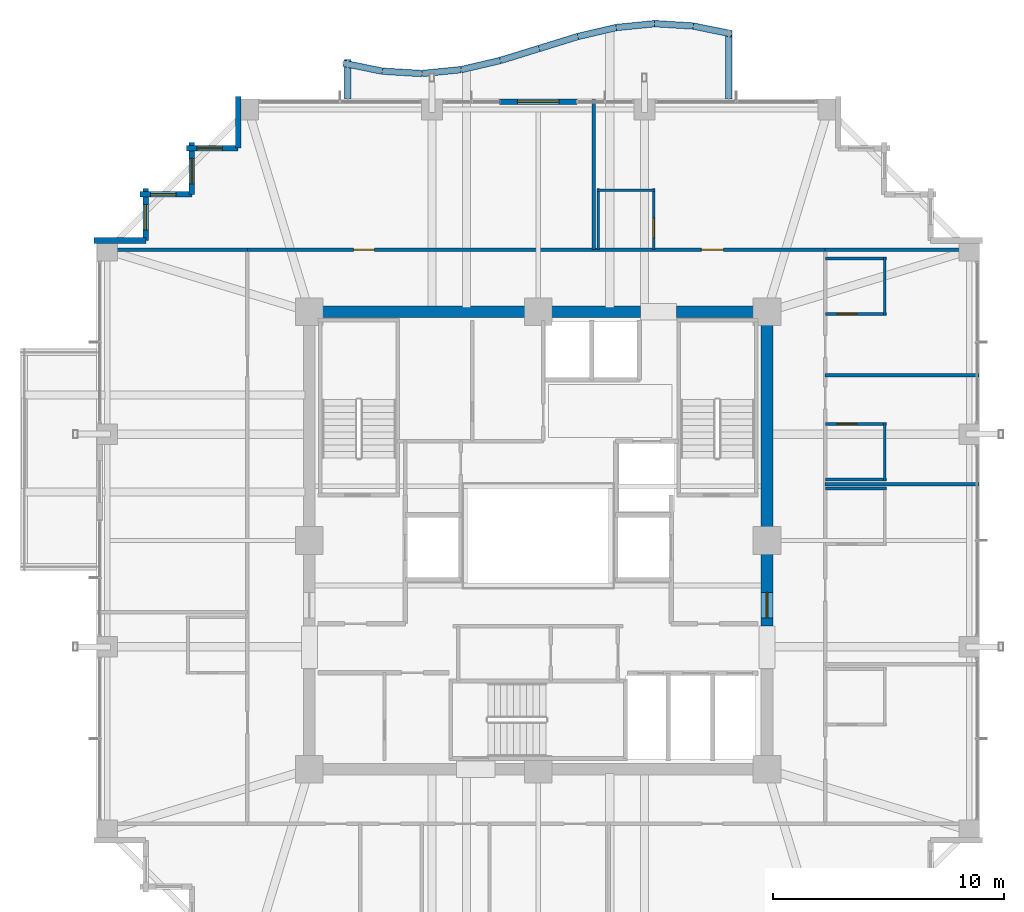
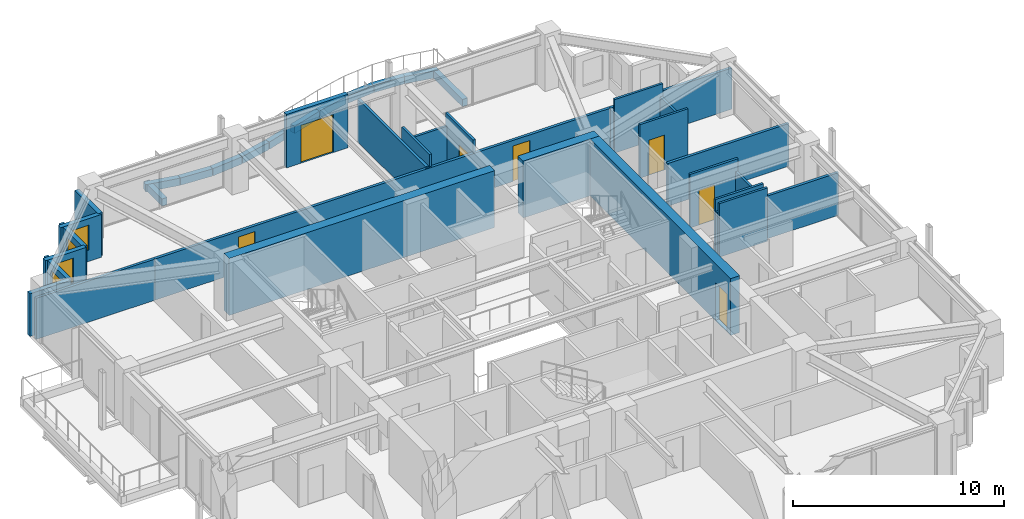
# One storey, part 30 of 34: 38 walls, 7 doors, 4 windows, 11 openings.
"""IFC4 building model written with IfcOpenShell, lengths in metres."""

from ifc_helpers import new_model, si_unit, direction, frame, frame_2d, origin, place, context, subcontext, project, spatial, rectangle, extrude, material, layer, layer_set, type_object, element, fill, save


model = new_model("IFC4")

# Units and contexts
model_context = context("Model", 3, precision=1e-05, world=origin(), true_north=direction((0.0, 1.0)))
body_context = subcontext(model_context, "Body", "Model", "MODEL_VIEW")
ifc_project = project(units=[si_unit("LENGTHUNIT", "METRE"), si_unit("AREAUNIT", "SQUARE_METRE"), si_unit("VOLUMEUNIT", "CUBIC_METRE"), si_unit("PLANEANGLEUNIT", "RADIAN"), si_unit("MASSUNIT", "GRAM", prefix="KILO")], contexts=[model_context])

# Site, building, storey
site_placement = place(None, origin())
site = spatial("IfcSite", under=ifc_project, at=site_placement, CompositionType="ELEMENT")
building_placement = place(site_placement, origin())
building = spatial("IfcBuilding", under=site, at=building_placement, Name="Kolvaren Belvedere", CompositionType="ELEMENT")
storey_placement = place(building_placement, frame((0.0, 0.0, 166.800048828125)))
storey = spatial("IfcBuildingStorey", under=building, at=storey_placement, Name="L48", CompositionType="ELEMENT", Elevation=166.800048828125)

# Walls
ifc_material_1 = material(Name="Concrete C50/60", Category="concrete")
ifc_layer_1 = layer(ifc_material_1, 0.5)
ifc_layer_set_1 = layer_set([ifc_layer_1], Name="Concrete C50/60")
wall_type_1 = type_object("IfcWallType", Name="CW-CORE-500", PredefinedType="SHEAR", material=ifc_layer_set_1)
wall_1_placement = place(storey_placement, frame((-10.14990234375, 9.89990234375, 0.0), z_axis=(0.0, 0.0, 1.0), x_axis=(1.0, 0.0, 0.0)))
element("IfcWall", 1, at=wall_1_placement, inside=storey, type_object=wall_type_1, Name="L48 North Core Shear Wall 1", PredefinedType="SHEAR", context=body_context, shape_type="SweptSolid", body=[
    extrude(rectangle(XDim=14.56982421875, YDim=0.5, at=frame_2d((7.284912109375, 0.0))), origin(), (0.0, 0.0, 1.0), 3.300048828125),
])
wall_2_placement = place(storey_placement, frame((5.97998046875, 9.89990234375, 0.0), z_axis=(0.0, 0.0, 1.0), x_axis=(1.0, 0.0, 0.0)))
element("IfcWall", 2, at=wall_2_placement, inside=storey, type_object=wall_type_1, Name="L48 North Core Shear Wall 2", PredefinedType="SHEAR", context=body_context, shape_type="SweptSolid", body=[
    extrude(rectangle(XDim=4.169921875, YDim=0.5, at=frame_2d((2.0849609375, 0.0))), origin(), (0.0, 0.0, 1.0), 3.300048828125),
])

# Wall, opening, door
wall_3_placement = place(storey_placement, frame((9.89990234375, -3.699951171875, 0.0), z_axis=(0.0, 0.0, 1.0), x_axis=(0.0, 1.0, 0.0)))
wall_3 = element("IfcWall", 3, at=wall_3_placement, inside=storey, type_object=wall_type_1, Name="L48 East Core Shear Wall 2", PredefinedType="SHEAR", context=body_context, shape_type="SweptSolid", body=[
    extrude(rectangle(XDim=13.349853515625, YDim=0.5, at=frame_2d((6.6748046875, 0.0))), origin(), (0.0, 0.0, 1.0), 3.300048828125),
])
opening_1_placement = place(wall_3_placement, frame((0.35009765625, 0.0, 0.0)))
opening_1 = element("IfcOpeningElement", 4, at=opening_1_placement, cuts=wall_3, Name="Opening D-FD90", PredefinedType="OPENING", context=body_context, shape_type="SweptSolid", body=[
    extrude(rectangle(XDim=1.10009765625, YDim=2.199951171875, at=frame_2d((0.550048828125, 1.10009765625))), frame((0.0, 0.260009765625, 0.0), z_axis=(0.0, -1.0, 0.0), x_axis=(1.0, 0.0, 0.0)), (0.0, 0.0, 1.0), 0.52001953125),
])
ifc_material_2 = material(Name="Painted hollow stainless steel", Category="steel")
door_type_1 = type_object("IfcDoorType", Name="DR-FD90-1100", OperationType="NOTDEFINED", PredefinedType="DOOR", material=ifc_material_2)
door_1_placement = place(opening_1_placement, origin())
door_1 = element("IfcDoor", 5, at=door_1_placement, inside=storey, type_object=door_type_1, Name="L48 East Firefighting Lobby Fire Door", OperationType="SINGLE_SWING_RIGHT", OverallHeight=2.199951171875, OverallWidth=1.10009765625, PredefinedType="DOOR", context=body_context, shape_type="SweptSolid", body=[
    extrude(rectangle(XDim=1.10009765625, YDim=2.199951171875, at=frame_2d((0.550048828125, 1.10009765625))), frame((0.0, 0.02490234375, 0.0), z_axis=(0.0, -1.0, 0.0), x_axis=(1.0, 0.0, 0.0)), (0.0, 0.0, 1.0), 0.050048828125),
])
fill(opening_1, door_1)

# Wall, openings, doors
ifc_material_3 = material(Name="Gypsum fire-rated partition assembly", Category="gypsum")
ifc_layer_2 = layer(ifc_material_3, 0.14990234375)
ifc_layer_set_2 = layer_set([ifc_layer_2], Name="Gypsum fire-rated partition assembly")
wall_type_2 = type_object("IfcWallType", Name="WL-CORR-150", PredefinedType="PARTITIONING", material=ifc_layer_set_2)
wall_4_placement = place(storey_placement, frame((-12.580078125, 12.580078125, 0.0), z_axis=(0.0, 0.0, 1.0), x_axis=(1.0, 0.0, 0.0)))
wall_4 = element("IfcWall", 6, at=wall_4_placement, inside=storey, type_object=wall_type_2, Name="L48 North Corridor Wall", PredefinedType="PARTITIONING", context=body_context, shape_type="SweptSolid", body=[
    extrude(rectangle(XDim=25.0, YDim=0.14990234375, at=frame_2d((12.5, 0.0))), origin(), (0.0, 0.0, 1.0), 2.388916015625),
])
opening_2_placement = place(wall_4_placement, frame((4.594970703125, 0.0, 0.0)))
opening_2 = element("IfcOpeningElement", 7, at=opening_2_placement, cuts=wall_4, Name="Opening D-INT90", PredefinedType="OPENING", context=body_context, shape_type="SweptSolid", body=[
    extrude(rectangle(XDim=0.89990234375, YDim=2.06005859375, at=frame_2d((0.449951171875, 1.030029296875))), frame((0.0, 0.0849609375, 0.0), z_axis=(0.0, -1.0, 0.0), x_axis=(1.0, 0.0, 0.0)), (0.0, 0.0, 1.0), 0.169921875),
])
opening_3_placement = place(wall_4_placement, frame((19.639892578125, 0.0, 0.0)))
opening_3 = element("IfcOpeningElement", 8, at=opening_3_placement, cuts=wall_4, Name="Opening D-FD60", PredefinedType="OPENING", context=body_context, shape_type="SweptSolid", body=[
    extrude(rectangle(XDim=0.949951171875, YDim=2.06005859375, at=frame_2d((0.47509765625, 1.030029296875))), frame((0.0, 0.0849609375, 0.0), z_axis=(0.0, -1.0, 0.0), x_axis=(1.0, 0.0, 0.0)), (0.0, 0.0, 1.0), 0.169921875),
])
ifc_material_4 = material(Name="Acoustic white-oak fire door leaf", Category="timber")
door_type_2 = type_object("IfcDoorType", Name="DR-FD60-950", OperationType="NOTDEFINED", PredefinedType="DOOR", material=ifc_material_4)
door_2_placement = place(opening_3_placement, origin())
door_2 = element("IfcDoor", 9, at=door_2_placement, inside=storey, type_object=door_type_2, Name="L48 Botanical Hospitality Suite 4811 Entry Door", OperationType="SINGLE_SWING_RIGHT", OverallHeight=2.06005859375, OverallWidth=0.949951171875, PredefinedType="DOOR", context=body_context, shape_type="SweptSolid", body=[
    extrude(rectangle(XDim=0.949951171875, YDim=2.06005859375, at=frame_2d((0.47509765625, 1.030029296875))), frame((0.0, 0.02490234375, 0.0), z_axis=(0.0, -1.0, 0.0), x_axis=(1.0, 0.0, 0.0)), (0.0, 0.0, 1.0), 0.050048828125),
])
fill(opening_3, door_2)
ifc_material_5 = material(Name="Stained Pacific white oak", Category="timber")
door_type_3 = type_object("IfcDoorType", Name="DR-INT-900", OperationType="NOTDEFINED", PredefinedType="DOOR", material=ifc_material_5)
door_3_placement = place(opening_2_placement, origin())
door_3 = element("IfcDoor", 10, at=door_3_placement, inside=storey, type_object=door_type_3, Name="L48 Lounge 4810 Door", OperationType="SINGLE_SWING_RIGHT", OverallHeight=2.06005859375, OverallWidth=0.89990234375, PredefinedType="DOOR", context=body_context, shape_type="SweptSolid", body=[
    extrude(rectangle(XDim=0.89990234375, YDim=2.06005859375, at=frame_2d((0.449951171875, 1.030029296875))), frame((0.0, 0.02490234375, 0.0), z_axis=(0.0, -1.0, 0.0), x_axis=(1.0, 0.0, 0.0)), (0.0, 0.0, 1.0), 0.050048828125),
])
fill(opening_2, door_3)

# Wall, opening, door
ifc_material_6 = material(Name="Insulated pale-metal facade wall assembly", Category="aluminium")
ifc_layer_3 = layer(ifc_material_6, 0.239990234375)
ifc_layer_set_3 = layer_set([ifc_layer_3], Name="Insulated pale-metal facade wall assembly")
wall_type_3 = type_object("IfcWallType", Name="WL-EXT-240", PredefinedType="STANDARD", material=ifc_layer_set_3)
wall_5_placement = place(storey_placement, frame((-1.679931640625, 18.97998046875, 0.0), z_axis=(0.0, 0.0, 1.0), x_axis=(1.0, 0.0, 0.0)))
wall_5 = element("IfcWall", 11, at=wall_5_placement, inside=storey, type_object=wall_type_3, Name="L48 North Terrace Portal Wall", PredefinedType="STANDARD", context=body_context, shape_type="SweptSolid", body=[
    extrude(rectangle(XDim=3.35986328125, YDim=0.239990234375, at=frame_2d((1.679931640625, 0.0))), origin(), (0.0, 0.0, 1.0), 3.099853515625),
])
opening_4_placement = place(wall_5_placement, frame((0.780029296875, 0.0, 0.0)))
opening_4 = element("IfcOpeningElement", 12, at=opening_4_placement, cuts=wall_5, Name="Opening DB-1800", PredefinedType="OPENING", context=body_context, shape_type="SweptSolid", body=[
    extrude(rectangle(XDim=1.800048828125, YDim=2.199951171875, at=frame_2d((0.89990234375, 1.10009765625))), frame((0.0, 0.1298828125, 0.0), z_axis=(0.0, -1.0, 0.0), x_axis=(1.0, 0.0, 0.0)), (0.0, 0.0, 1.0), 0.260009765625),
])
ifc_material_7 = material(Name="Thermally broken pale-metal aluminium & low-iron glass", Category="aluminium")
door_type_4 = type_object("IfcDoorType", Name="DR-BAL-1800", OperationType="DOUBLE_DOOR_SLIDING", PredefinedType="DOOR", material=ifc_material_7)
door_4_placement = place(opening_4_placement, origin())
door_4 = element("IfcDoor", 13, at=door_4_placement, inside=storey, type_object=door_type_4, Name="L48 North Planted Terrace Sliding Door", OperationType="DOUBLE_DOOR_SLIDING", OverallHeight=2.199951171875, OverallWidth=1.800048828125, PredefinedType="DOOR", context=body_context, shape_type="SweptSolid", body=[
    extrude(rectangle(XDim=1.800048828125, YDim=2.199951171875, at=frame_2d((0.89990234375, 1.10009765625))), frame((0.0, 0.02490234375, 0.0), z_axis=(0.0, -1.0, 0.0), x_axis=(1.0, 0.0, 0.0)), (0.0, 0.0, 1.0), 0.050048828125),
])
fill(opening_4, door_4)

# Wall
wall_6_placement = place(storey_placement, frame((-12.97998046875, 16.97998046875, 0.0), z_axis=(0.0, 0.0, 1.0), x_axis=(0.0, 1.0, 0.0)))
element("IfcWall", 14, at=wall_6_placement, inside=storey, type_object=wall_type_3, Name="L48 Serrated Corner Facade Wall 16", PredefinedType="STANDARD", context=body_context, shape_type="SweptSolid", body=[
    extrude(rectangle(XDim=2.239990234375, YDim=0.239990234375, at=frame_2d((1.1201171875, 0.0))), origin(), (0.0, 0.0, 1.0), 2.48291015625),
])

# Wall, opening, window
wall_7_placement = place(storey_placement, frame((-15.219970703125, 16.97998046875, 0.0), z_axis=(0.0, 0.0, 1.0), x_axis=(1.0, 0.0, 0.0)))
wall_7 = element("IfcWall", 15, at=wall_7_placement, inside=storey, type_object=wall_type_3, Name="L48 Serrated Corner Facade Wall 17", PredefinedType="STANDARD", context=body_context, shape_type="SweptSolid", body=[
    extrude(rectangle(XDim=2.239990234375, YDim=0.239990234375, at=frame_2d((1.1201171875, 0.0))), origin(), (0.0, 0.0, 1.0), 2.48291015625),
])
opening_5_placement = place(wall_7_placement, frame((0.449951171875, 0.0, 0.64990234375)))
opening_5 = element("IfcOpeningElement", 16, at=opening_5_placement, cuts=wall_7, Name="Opening W-1100", PredefinedType="OPENING", context=body_context, shape_type="SweptSolid", body=[
    extrude(rectangle(XDim=1.10009765625, YDim=1.449951171875, at=frame_2d((0.550048828125, 0.72509765625))), frame((0.0, 0.1298828125, 0.0), z_axis=(0.0, -1.0, 0.0), x_axis=(1.0, 0.0, 0.0)), (0.0, 0.0, 1.0), 0.260009765625),
])
ifc_material_8 = material(Name="Low-iron triple insulated glass", Category="glass")
window_type = type_object("IfcWindowType", Name="WN-CORN-1100", PartitioningType="SINGLE_PANEL", PredefinedType="WINDOW", material=ifc_material_8)
window_1_placement = place(opening_5_placement, origin())
window_1 = element("IfcWindow", 17, at=window_1_placement, inside=storey, type_object=window_type, Name="L48 Serrated Corner Vision Window 17", OverallHeight=1.449951171875, OverallWidth=1.10009765625, PartitioningType="SINGLE_PANEL", PredefinedType="WINDOW", context=body_context, shape_type="SweptSolid", body=[
    extrude(rectangle(XDim=1.10009765625, YDim=1.449951171875, at=frame_2d((0.550048828125, 0.72509765625))), frame((0.0, 0.030029296875, 0.0), z_axis=(0.0, -1.0, 0.0), x_axis=(1.0, 0.0, 0.0)), (0.0, 0.0, 1.0), 0.06005859375),
])
fill(opening_5, window_1)

wall_8_placement = place(storey_placement, frame((-14.97998046875, 14.97998046875, 0.0), z_axis=(0.0, 0.0, 1.0), x_axis=(0.0, 1.0, 0.0)))
wall_8 = element("IfcWall", 18, at=wall_8_placement, inside=storey, type_object=wall_type_3, Name="L48 Serrated Corner Facade Wall 18", PredefinedType="STANDARD", context=body_context, shape_type="SweptSolid", body=[
    extrude(rectangle(XDim=2.239990234375, YDim=0.239990234375, at=frame_2d((1.1201171875, 0.0))), origin(), (0.0, 0.0, 1.0), 2.48291015625),
])
opening_6_placement = place(wall_8_placement, frame((0.449951171875, 0.0, 0.64990234375)))
opening_6 = element("IfcOpeningElement", 19, at=opening_6_placement, cuts=wall_8, Name="Opening W-1100", PredefinedType="OPENING", context=body_context, shape_type="SweptSolid", body=[
    extrude(rectangle(XDim=1.10009765625, YDim=1.449951171875, at=frame_2d((0.550048828125, 0.72509765625))), frame((0.0, 0.1298828125, 0.0), z_axis=(0.0, -1.0, 0.0), x_axis=(1.0, 0.0, 0.0)), (0.0, 0.0, 1.0), 0.260009765625),
])
window_2_placement = place(opening_6_placement, origin())
window_2 = element("IfcWindow", 20, at=window_2_placement, inside=storey, type_object=window_type, Name="L48 Serrated Corner Vision Window 18", OverallHeight=1.449951171875, OverallWidth=1.10009765625, PartitioningType="SINGLE_PANEL", PredefinedType="WINDOW", context=body_context, shape_type="SweptSolid", body=[
    extrude(rectangle(XDim=1.10009765625, YDim=1.449951171875, at=frame_2d((0.550048828125, 0.72509765625))), frame((0.0, 0.030029296875, 0.0), z_axis=(0.0, -1.0, 0.0), x_axis=(1.0, 0.0, 0.0)), (0.0, 0.0, 1.0), 0.06005859375),
])
fill(opening_6, window_2)

wall_9_placement = place(storey_placement, frame((-17.219970703125, 14.97998046875, 0.0), z_axis=(0.0, 0.0, 1.0), x_axis=(1.0, 0.0, 0.0)))
wall_9 = element("IfcWall", 21, at=wall_9_placement, inside=storey, type_object=wall_type_3, Name="L48 Serrated Corner Facade Wall 19", PredefinedType="STANDARD", context=body_context, shape_type="SweptSolid", body=[
    extrude(rectangle(XDim=2.239990234375, YDim=0.239990234375, at=frame_2d((1.1201171875, 0.0))), origin(), (0.0, 0.0, 1.0), 2.48291015625),
])
opening_7_placement = place(wall_9_placement, frame((0.449951171875, 0.0, 0.64990234375)))
opening_7 = element("IfcOpeningElement", 22, at=opening_7_placement, cuts=wall_9, Name="Opening W-1100", PredefinedType="OPENING", context=body_context, shape_type="SweptSolid", body=[
    extrude(rectangle(XDim=1.10009765625, YDim=1.449951171875, at=frame_2d((0.550048828125, 0.72509765625))), frame((0.0, 0.1298828125, 0.0), z_axis=(0.0, -1.0, 0.0), x_axis=(1.0, 0.0, 0.0)), (0.0, 0.0, 1.0), 0.260009765625),
])
window_3_placement = place(opening_7_placement, origin())
window_3 = element("IfcWindow", 23, at=window_3_placement, inside=storey, type_object=window_type, Name="L48 Serrated Corner Vision Window 19", OverallHeight=1.449951171875, OverallWidth=1.10009765625, PartitioningType="SINGLE_PANEL", PredefinedType="WINDOW", context=body_context, shape_type="SweptSolid", body=[
    extrude(rectangle(XDim=1.10009765625, YDim=1.449951171875, at=frame_2d((0.550048828125, 0.72509765625))), frame((0.0, 0.030029296875, 0.0), z_axis=(0.0, -1.0, 0.0), x_axis=(1.0, 0.0, 0.0)), (0.0, 0.0, 1.0), 0.06005859375),
])
fill(opening_7, window_3)

wall_10_placement = place(storey_placement, frame((-16.97998046875, 12.97998046875, 0.0), z_axis=(0.0, 0.0, 1.0), x_axis=(0.0, 1.0, 0.0)))
wall_10 = element("IfcWall", 24, at=wall_10_placement, inside=storey, type_object=wall_type_3, Name="L48 Serrated Corner Facade Wall 20", PredefinedType="STANDARD", context=body_context, shape_type="SweptSolid", body=[
    extrude(rectangle(XDim=2.239990234375, YDim=0.239990234375, at=frame_2d((1.1201171875, 0.0))), origin(), (0.0, 0.0, 1.0), 2.48291015625),
])
opening_8_placement = place(wall_10_placement, frame((0.449951171875, 0.0, 0.64990234375)))
opening_8 = element("IfcOpeningElement", 25, at=opening_8_placement, cuts=wall_10, Name="Opening W-1100", PredefinedType="OPENING", context=body_context, shape_type="SweptSolid", body=[
    extrude(rectangle(XDim=1.10009765625, YDim=1.449951171875, at=frame_2d((0.550048828125, 0.72509765625))), frame((0.0, 0.1298828125, 0.0), z_axis=(0.0, -1.0, 0.0), x_axis=(1.0, 0.0, 0.0)), (0.0, 0.0, 1.0), 0.260009765625),
])
window_4_placement = place(opening_8_placement, origin())
window_4 = element("IfcWindow", 26, at=window_4_placement, inside=storey, type_object=window_type, Name="L48 Serrated Corner Vision Window 20", OverallHeight=1.449951171875, OverallWidth=1.10009765625, PartitioningType="SINGLE_PANEL", PredefinedType="WINDOW", context=body_context, shape_type="SweptSolid", body=[
    extrude(rectangle(XDim=1.10009765625, YDim=1.449951171875, at=frame_2d((0.550048828125, 0.72509765625))), frame((0.0, 0.030029296875, 0.0), z_axis=(0.0, -1.0, 0.0), x_axis=(1.0, 0.0, 0.0)), (0.0, 0.0, 1.0), 0.06005859375),
])
fill(opening_8, window_4)

# Walls
wall_11_placement = place(storey_placement, frame((-19.219970703125, 12.97998046875, 0.0), z_axis=(0.0, 0.0, 1.0), x_axis=(1.0, 0.0, 0.0)))
element("IfcWall", 27, at=wall_11_placement, inside=storey, type_object=wall_type_3, Name="L48 Serrated Corner Facade Wall 21", PredefinedType="STANDARD", context=body_context, shape_type="SweptSolid", body=[
    extrude(rectangle(XDim=2.239990234375, YDim=0.239990234375, at=frame_2d((1.1201171875, 0.0))), origin(), (0.0, 0.0, 1.0), 2.48291015625),
])
ifc_material_9 = material(Name="Gypsum acoustic partition assembly", Category="gypsum")
ifc_layer_4 = layer(ifc_material_9, 0.14990234375)
ifc_layer_set_4 = layer_set([ifc_layer_4], Name="Gypsum acoustic partition assembly")
wall_type_4 = type_object("IfcWallType", Name="WL-PART-150", PredefinedType="PARTITIONING", material=ifc_layer_set_4)
wall_12_placement = place(storey_placement, frame((-19.080078125, 12.580078125, 0.0), z_axis=(0.0, 0.0, 1.0), x_axis=(1.0, 0.0, 0.0)))
element("IfcWall", 28, at=wall_12_placement, inside=storey, type_object=wall_type_4, Name="L48 Wing Divider PW-L48-QNW", PredefinedType="PARTITIONING", context=body_context, shape_type="SweptSolid", body=[
    extrude(rectangle(XDim=6.5, YDim=0.14990234375, at=frame_2d((3.25, 0.0))), origin(), (0.0, 0.0, 1.0), 2.388916015625),
])
wall_13_placement = place(storey_placement, frame((12.419921875, 12.580078125, 0.0), z_axis=(0.0, 0.0, 1.0), x_axis=(1.0, 0.0, 0.0)))
element("IfcWall", 29, at=wall_13_placement, inside=storey, type_object=wall_type_4, Name="L48 Wing Divider PW-L48-QNE", PredefinedType="PARTITIONING", context=body_context, shape_type="SweptSolid", body=[
    extrude(rectangle(XDim=6.66015625, YDim=0.14990234375, at=frame_2d((3.330078125, 0.0))), origin(), (0.0, 0.0, 1.0), 2.388916015625),
])
for number, where, z_axis, x_axis, name in (
    (30, (12.419921875, 2.43994140625, 0.0), (0.0, 0.0, 1.0), (1.0, 0.0, 0.0), "L48 East Suite Demising Wall 2"),
    (31, (12.419921875, 7.139892578125, 0.0), (0.0, 0.0, 1.0), (1.0, 0.0, 0.0), "L48 East Suite Demising Wall 3"),
):
    element("IfcWall", number, at=place(storey_placement, frame(where, z_axis=z_axis, x_axis=x_axis)), inside=storey, type_object=wall_type_4, Name=name, PredefinedType="PARTITIONING", context=body_context, shape_type="SweptSolid", body=[
        extrude(rectangle(XDim=6.66015625, YDim=0.14990234375, at=frame_2d((3.330078125, 0.0))), origin(), (0.0, 0.0, 1.0), 2.472900390625),
    ])
wall_14_placement = place(storey_placement, frame((2.404052734375, 12.580078125, 0.0), z_axis=(0.0, 0.0, 1.0), x_axis=(0.0, 1.0, 0.0)))
element("IfcWall", 32, at=wall_14_placement, inside=storey, type_object=wall_type_4, Name="L48 North Suite Demising Wall 1", PredefinedType="PARTITIONING", context=body_context, shape_type="SweptSolid", body=[
    extrude(rectangle(XDim=6.5, YDim=0.14990234375, at=frame_2d((3.25, 0.0))), origin(), (0.0, 0.0, 1.0), 2.472900390625),
])
ifc_material_10 = material(Name="Precast concrete C40/50", Category="concrete")
ifc_layer_5 = layer(ifc_material_10, 0.300048828125)
ifc_layer_set_5 = layer_set([ifc_layer_5], Name="Precast concrete C40/50")
wall_type_5 = type_object("IfcWallType", Name="WL-PLANTER-300", PredefinedType="PARAPET", material=ifc_layer_set_5)
wall_15_placement = place(storey_placement, frame((8.239990234375, 19.10009765625, -0.02001953125), z_axis=(0.0, 0.0, 1.0), x_axis=(0.0, 1.0, 0.0)))
element("IfcWall", 33, at=wall_15_placement, inside=storey, type_object=wall_type_5, Name="L48 Precast Structural Planter Wall BAL-N-11", PredefinedType="PARAPET", context=body_context, shape_type="SweptSolid", body=[
    extrude(rectangle(XDim=2.974609375, YDim=0.280029296875, at=frame_2d((1.4873046875, 0.0))), origin(), (0.0, 0.0, 1.0), 0.419921875),
])
wall_16_placement = place(storey_placement, frame((8.367919921875, 21.91796875, -0.02001953125), z_axis=(0.0, 0.0, 1.0), x_axis=(-0.979839912937, 0.199784246163, 0.0)))
element("IfcWall", 34, at=wall_16_placement, inside=storey, type_object=wall_type_5, Name="L48 Precast Structural Planter Wall BAL-N-12", PredefinedType="PARAPET", context=body_context, shape_type="SweptSolid", body=[
    extrude(rectangle(XDim=1.714599609375, YDim=0.280029296875, at=frame_2d((0.857421875, 0.0))), origin(), (0.0, 0.0, 1.0), 0.419921875),
])
wall_17_placement = place(storey_placement, frame((6.710205078125, 22.257568359375, -0.02001953125), z_axis=(0.0, 0.0, 1.0), x_axis=(-0.998133560666, 0.061068773295, 0.0)))
element("IfcWall", 35, at=wall_17_placement, inside=storey, type_object=wall_type_5, Name="L48 Precast Structural Planter Wall BAL-N-13", PredefinedType="PARAPET", context=body_context, shape_type="SweptSolid", body=[
    extrude(rectangle(XDim=1.68310546875, YDim=0.280029296875, at=frame_2d((0.841552734375, 0.0))), origin(), (0.0, 0.0, 1.0), 0.419921875),
])
wall_18_placement = place(storey_placement, frame((5.055908203125, 22.36083984375, -0.02001953125), z_axis=(0.0, 0.0, 1.0), x_axis=(-0.995024296308, -0.099632573776, 0.0)))
element("IfcWall", 36, at=wall_18_placement, inside=storey, type_object=wall_type_5, Name="L48 Precast Structural Planter Wall BAL-N-14", PredefinedType="PARAPET", context=body_context, shape_type="SweptSolid", body=[
    extrude(rectangle(XDim=1.688232421875, YDim=0.280029296875, at=frame_2d((0.84423828125, 0.0))), origin(), (0.0, 0.0, 1.0), 0.419921875),
])
wall_19_placement = place(storey_placement, frame((3.396240234375, 22.196044921875, -0.02001953125), z_axis=(0.0, 0.0, 1.0), x_axis=(-0.973890253884, -0.227019323824, 0.0)))
element("IfcWall", 37, at=wall_19_placement, inside=storey, type_object=wall_type_5, Name="L48 Precast Structural Planter Wall BAL-N-15", PredefinedType="PARAPET", context=body_context, shape_type="SweptSolid", body=[
    extrude(rectangle(XDim=1.724853515625, YDim=0.280029296875, at=frame_2d((0.8623046875, 0.0))), origin(), (0.0, 0.0, 1.0), 0.419921875),
])
for number, where, z_axis, x_axis, name in (
    (38, (1.727294921875, 21.8076171875, -0.02001953125), (0.0, 0.0, 1.0), (-0.955200894869, -0.295958190359, 0.0), "L48 Precast Structural Planter Wall BAL-N-16"),
    (39, (0.04736328125, 21.287109375, -0.02001953125), (0.0, 0.0, 1.0), (-0.955252278476, -0.29579229954, 0.0), "L48 Precast Structural Planter Wall BAL-N-17"),
):
    element("IfcWall", number, at=place(storey_placement, frame(where, z_axis=z_axis, x_axis=x_axis)), inside=storey, type_object=wall_type_5, Name=name, PredefinedType="PARAPET", context=body_context, shape_type="SweptSolid", body=[
        extrude(rectangle(XDim=1.7587890625, YDim=0.280029296875, at=frame_2d((0.87939453125, 0.0))), origin(), (0.0, 0.0, 1.0), 0.419921875),
    ])
wall_20_placement = place(storey_placement, frame((-1.643798828125, 20.763916015625, -0.02001953125), z_axis=(0.0, 0.0, 1.0), x_axis=(-0.973890253884, -0.227019323824, 0.0)))
element("IfcWall", 40, at=wall_20_placement, inside=storey, type_object=wall_type_5, Name="L48 Precast Structural Planter Wall BAL-N-18", PredefinedType="PARAPET", context=body_context, shape_type="SweptSolid", body=[
    extrude(rectangle(XDim=1.724853515625, YDim=0.280029296875, at=frame_2d((0.8623046875, 0.0))), origin(), (0.0, 0.0, 1.0), 0.419921875),
])
wall_21_placement = place(storey_placement, frame((-3.34423828125, 20.368896484375, -0.02001953125), z_axis=(0.0, 0.0, 1.0), x_axis=(-0.995153897624, -0.098329649867, 0.0)))
element("IfcWall", 41, at=wall_21_placement, inside=storey, type_object=wall_type_5, Name="L48 Precast Structural Planter Wall BAL-N-19", PredefinedType="PARAPET", context=body_context, shape_type="SweptSolid", body=[
    extrude(rectangle(XDim=1.6884765625, YDim=0.280029296875, at=frame_2d((0.84423828125, 0.0))), origin(), (0.0, 0.0, 1.0), 0.419921875),
])
wall_22_placement = place(storey_placement, frame((-5.049560546875, 20.202392578125, -0.02001953125), z_axis=(0.0, 0.0, 1.0), x_axis=(-0.998212296378, 0.059767979379, 0.0)))
element("IfcWall", 42, at=wall_22_placement, inside=storey, type_object=wall_type_5, Name="L48 Precast Structural Planter Wall BAL-N-20", PredefinedType="PARAPET", context=body_context, shape_type="SweptSolid", body=[
    extrude(rectangle(XDim=1.682861328125, YDim=0.280029296875, at=frame_2d((0.84130859375, 0.0))), origin(), (0.0, 0.0, 1.0), 0.419921875),
])
wall_23_placement = place(storey_placement, frame((-6.751953125, 20.305908203125, -0.02001953125), z_axis=(0.0, 0.0, 1.0), x_axis=(-0.979839912937, 0.199784246163, 0.0)))
element("IfcWall", 43, at=wall_23_placement, inside=storey, type_object=wall_type_5, Name="L48 Precast Structural Planter Wall BAL-N-21", PredefinedType="PARAPET", context=body_context, shape_type="SweptSolid", body=[
    extrude(rectangle(XDim=1.714599609375, YDim=0.280029296875, at=frame_2d((0.857421875, 0.0))), origin(), (0.0, 0.0, 1.0), 0.419921875),
])
wall_24_placement = place(storey_placement, frame((-8.239990234375, 20.80517578125, -0.02001953125), z_axis=(0.0, 0.0, 1.0), x_axis=(0.0, -1.0, 0.0)))
element("IfcWall", 44, at=wall_24_placement, inside=storey, type_object=wall_type_5, Name="L48 Precast Structural Planter Wall BAL-N-22", PredefinedType="PARAPET", context=body_context, shape_type="SweptSolid", body=[
    extrude(rectangle(XDim=1.705078125, YDim=0.280029296875, at=frame_2d((0.8525390625, 0.0))), origin(), (0.0, 0.0, 1.0), 0.419921875),
])
ifc_material_11 = material(Name="Moisture-resistant gypsum partition", Category="gypsum")
ifc_layer_6 = layer(ifc_material_11, 0.125)
ifc_layer_set_6 = layer_set([ifc_layer_6], Name="Moisture-resistant gypsum partition")
wall_type_6 = type_object("IfcWallType", Name="WL-WET-125", PredefinedType="PARTITIONING", material=ifc_layer_set_6)
wall_25_placement = place(storey_placement, frame((12.43505859375, 2.2451171875, 0.0), z_axis=(0.0, 0.0, 1.0), x_axis=(1.0, 0.0, 0.0)))
element("IfcWall", 45, at=wall_25_placement, inside=storey, type_object=wall_type_6, Name="L48 Bathroom Partition PW-L48-BTH-5-S", PredefinedType="PARTITIONING", context=body_context, shape_type="SweptSolid", body=[
    extrude(rectangle(XDim=2.639892578125, YDim=0.125, at=frame_2d((1.31982421875, 0.0))), origin(), (0.0, 0.0, 1.0), 3.099853515625),
])

# Wall, opening, door
wall_26_placement = place(storey_placement, frame((12.43505859375, 5.034912109375, 0.0), z_axis=(0.0, 0.0, 1.0), x_axis=(1.0, 0.0, 0.0)))
wall_26 = element("IfcWall", 46, at=wall_26_placement, inside=storey, type_object=wall_type_6, Name="L48 Bathroom Partition PW-L48-BTH-6-N", PredefinedType="PARTITIONING", context=body_context, shape_type="SweptSolid", body=[
    extrude(rectangle(XDim=2.639892578125, YDim=0.125, at=frame_2d((1.31982421875, 0.0))), origin(), (0.0, 0.0, 1.0), 3.099853515625),
])
opening_9_placement = place(wall_26_placement, frame((0.5, 0.0, 0.0)))
opening_9 = element("IfcOpeningElement", 47, at=opening_9_placement, cuts=wall_26, Name="Opening D-BTH85", PredefinedType="OPENING", context=body_context, shape_type="SweptSolid", body=[
    extrude(rectangle(XDim=0.85009765625, YDim=2.030029296875, at=frame_2d((0.425048828125, 1.01513671875))), frame((0.0, 0.072509765625, 0.0), z_axis=(0.0, -1.0, 0.0), x_axis=(1.0, 0.0, 0.0)), (0.0, 0.0, 1.0), 0.14501953125),
])
ifc_material_12 = material(Name="Moisture-sealed Pacific white oak", Category="timber")
door_type_5 = type_object("IfcDoorType", Name="DR-BATH-850", OperationType="NOTDEFINED", PredefinedType="DOOR", material=ifc_material_12)
door_5_placement = place(opening_9_placement, origin())
door_5 = element("IfcDoor", 48, at=door_5_placement, inside=storey, type_object=door_type_5, Name="L48 En-Suite Bathroom 4806 Door", OperationType="SINGLE_SWING_LEFT", OverallHeight=2.030029296875, OverallWidth=0.85009765625, PredefinedType="DOOR", context=body_context, shape_type="SweptSolid", body=[
    extrude(rectangle(XDim=0.85009765625, YDim=2.030029296875, at=frame_2d((0.425048828125, 1.01513671875))), frame((0.0, 0.02490234375, 0.0), z_axis=(0.0, -1.0, 0.0), x_axis=(1.0, 0.0, 0.0)), (0.0, 0.0, 1.0), 0.050048828125),
])
fill(opening_9, door_5)

# Walls
wall_27_placement = place(storey_placement, frame((14.9951171875, 2.574951171875, 0.0), z_axis=(0.0, 0.0, 1.0), x_axis=(0.0, 1.0, 0.0)))
element("IfcWall", 49, at=wall_27_placement, inside=storey, type_object=wall_type_6, Name="L48 Bathroom Partition PW-L48-BTH-6-V", PredefinedType="PARTITIONING", context=body_context, shape_type="SweptSolid", body=[
    extrude(rectangle(XDim=2.52001953125, YDim=0.125, at=frame_2d((1.260009765625, 0.0))), origin(), (0.0, 0.0, 1.0), 2.388916015625),
])
wall_28_placement = place(storey_placement, frame((12.43505859375, 2.635009765625, 0.0), z_axis=(0.0, 0.0, 1.0), x_axis=(1.0, 0.0, 0.0)))
element("IfcWall", 50, at=wall_28_placement, inside=storey, type_object=wall_type_6, Name="L48 Bathroom Partition PW-L48-BTH-6-S", PredefinedType="PARTITIONING", context=body_context, shape_type="SweptSolid", body=[
    extrude(rectangle(XDim=2.639892578125, YDim=0.125, at=frame_2d((1.31982421875, 0.0))), origin(), (0.0, 0.0, 1.0), 3.099853515625),
])

# Wall, opening, door
wall_29_placement = place(storey_placement, frame((12.43505859375, 9.801025390625, 0.0), z_axis=(0.0, 0.0, 1.0), x_axis=(1.0, 0.0, 0.0)))
wall_29 = element("IfcWall", 51, at=wall_29_placement, inside=storey, type_object=wall_type_6, Name="L48 Bathroom Partition PW-L48-BTH-7-N", PredefinedType="PARTITIONING", context=body_context, shape_type="SweptSolid", body=[
    extrude(rectangle(XDim=2.639892578125, YDim=0.125, at=frame_2d((1.31982421875, 0.0))), origin(), (0.0, 0.0, 1.0), 3.099853515625),
])
opening_10_placement = place(wall_29_placement, frame((0.5, 0.0, 0.0)))
opening_10 = element("IfcOpeningElement", 52, at=opening_10_placement, cuts=wall_29, Name="Opening D-BTH85", PredefinedType="OPENING", context=body_context, shape_type="SweptSolid", body=[
    extrude(rectangle(XDim=0.85009765625, YDim=2.030029296875, at=frame_2d((0.425048828125, 1.01513671875))), frame((0.0, 0.072509765625, 0.0), z_axis=(0.0, -1.0, 0.0), x_axis=(1.0, 0.0, 0.0)), (0.0, 0.0, 1.0), 0.14501953125),
])
door_6_placement = place(opening_10_placement, origin())
door_6 = element("IfcDoor", 53, at=door_6_placement, inside=storey, type_object=door_type_5, Name="L48 En-Suite Bathroom 4807 Door", OperationType="SINGLE_SWING_LEFT", OverallHeight=2.030029296875, OverallWidth=0.85009765625, PredefinedType="DOOR", context=body_context, shape_type="SweptSolid", body=[
    extrude(rectangle(XDim=0.85009765625, YDim=2.030029296875, at=frame_2d((0.425048828125, 1.01513671875))), frame((0.0, 0.02490234375, 0.0), z_axis=(0.0, -1.0, 0.0), x_axis=(1.0, 0.0, 0.0)), (0.0, 0.0, 1.0), 0.050048828125),
])
fill(opening_10, door_6)

# Walls
wall_30_placement = place(storey_placement, frame((14.9951171875, 9.740966796875, 0.0), z_axis=(0.0, 0.0, 1.0), x_axis=(0.0, 1.0, 0.0)))
element("IfcWall", 54, at=wall_30_placement, inside=storey, type_object=wall_type_6, Name="L48 Bathroom Partition PW-L48-BTH-7-V", PredefinedType="PARTITIONING", context=body_context, shape_type="SweptSolid", body=[
    extrude(rectangle(XDim=2.52001953125, YDim=0.125, at=frame_2d((1.260009765625, 0.0))), origin(), (0.0, 0.0, 1.0), 2.388916015625),
])
wall_31_placement = place(storey_placement, frame((12.43505859375, 12.200927734375, 0.0), z_axis=(0.0, 0.0, 1.0), x_axis=(1.0, 0.0, 0.0)))
element("IfcWall", 55, at=wall_31_placement, inside=storey, type_object=wall_type_6, Name="L48 Bathroom Partition PW-L48-BTH-7-S", PredefinedType="PARTITIONING", context=body_context, shape_type="SweptSolid", body=[
    extrude(rectangle(XDim=2.639892578125, YDim=0.125, at=frame_2d((1.31982421875, 0.0))), origin(), (0.0, 0.0, 1.0), 3.099853515625),
])

# Wall, opening, door
wall_32_placement = place(storey_placement, frame((4.9990234375, 12.594970703125, 0.0), z_axis=(0.0, 0.0, 1.0), x_axis=(0.0, 1.0, 0.0)))
wall_32 = element("IfcWall", 56, at=wall_32_placement, inside=storey, type_object=wall_type_6, Name="L48 Bathroom Partition PW-L48-BTH-11-E", PredefinedType="PARTITIONING", context=body_context, shape_type="SweptSolid", body=[
    extrude(rectangle(XDim=2.64013671875, YDim=0.125, at=frame_2d((1.320068359375, 0.0))), origin(), (0.0, 0.0, 1.0), 3.099853515625),
])
opening_11_placement = place(wall_32_placement, frame((0.5, 0.0, 0.0)))
opening_11 = element("IfcOpeningElement", 57, at=opening_11_placement, cuts=wall_32, Name="Opening D-BTH85", PredefinedType="OPENING", context=body_context, shape_type="SweptSolid", body=[
    extrude(rectangle(XDim=0.85009765625, YDim=2.030029296875, at=frame_2d((0.425048828125, 1.01513671875))), frame((0.0, 0.072509765625, 0.0), z_axis=(0.0, -1.0, 0.0), x_axis=(1.0, 0.0, 0.0)), (0.0, 0.0, 1.0), 0.14501953125),
])
door_7_placement = place(opening_11_placement, origin())
door_7 = element("IfcDoor", 58, at=door_7_placement, inside=storey, type_object=door_type_5, Name="L48 En-Suite Bathroom 4811 Door", OperationType="SINGLE_SWING_LEFT", OverallHeight=2.030029296875, OverallWidth=0.85009765625, PredefinedType="DOOR", context=body_context, shape_type="SweptSolid", body=[
    extrude(rectangle(XDim=0.85009765625, YDim=2.030029296875, at=frame_2d((0.425048828125, 1.01513671875))), frame((0.0, 0.02490234375, 0.0), z_axis=(0.0, -1.0, 0.0), x_axis=(1.0, 0.0, 0.0)), (0.0, 0.0, 1.0), 0.050048828125),
])
fill(opening_11, door_7)

# Walls
wall_33_placement = place(storey_placement, frame((2.5390625, 15.155029296875, 0.0), z_axis=(0.0, 0.0, 1.0), x_axis=(1.0, 0.0, 0.0)))
element("IfcWall", 59, at=wall_33_placement, inside=storey, type_object=wall_type_6, Name="L48 Bathroom Partition PW-L48-BTH-11-H", PredefinedType="PARTITIONING", context=body_context, shape_type="SweptSolid", body=[
    extrude(rectangle(XDim=2.52001953125, YDim=0.125, at=frame_2d((1.260009765625, 0.0))), origin(), (0.0, 0.0, 1.0), 2.388916015625),
])
wall_34_placement = place(storey_placement, frame((2.59912109375, 12.594970703125, 0.0), z_axis=(0.0, 0.0, 1.0), x_axis=(0.0, 1.0, 0.0)))
element("IfcWall", 60, at=wall_34_placement, inside=storey, type_object=wall_type_6, Name="L48 Bathroom Partition PW-L48-BTH-11-W", PredefinedType="PARTITIONING", context=body_context, shape_type="SweptSolid", body=[
    extrude(rectangle(XDim=2.64013671875, YDim=0.125, at=frame_2d((1.320068359375, 0.0))), origin(), (0.0, 0.0, 1.0), 3.099853515625),
])

save(model, "model.ifc")
